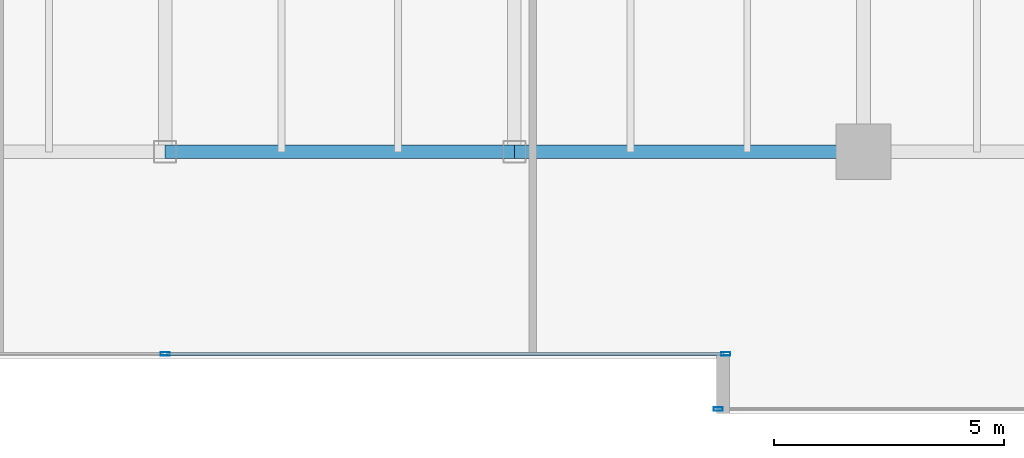
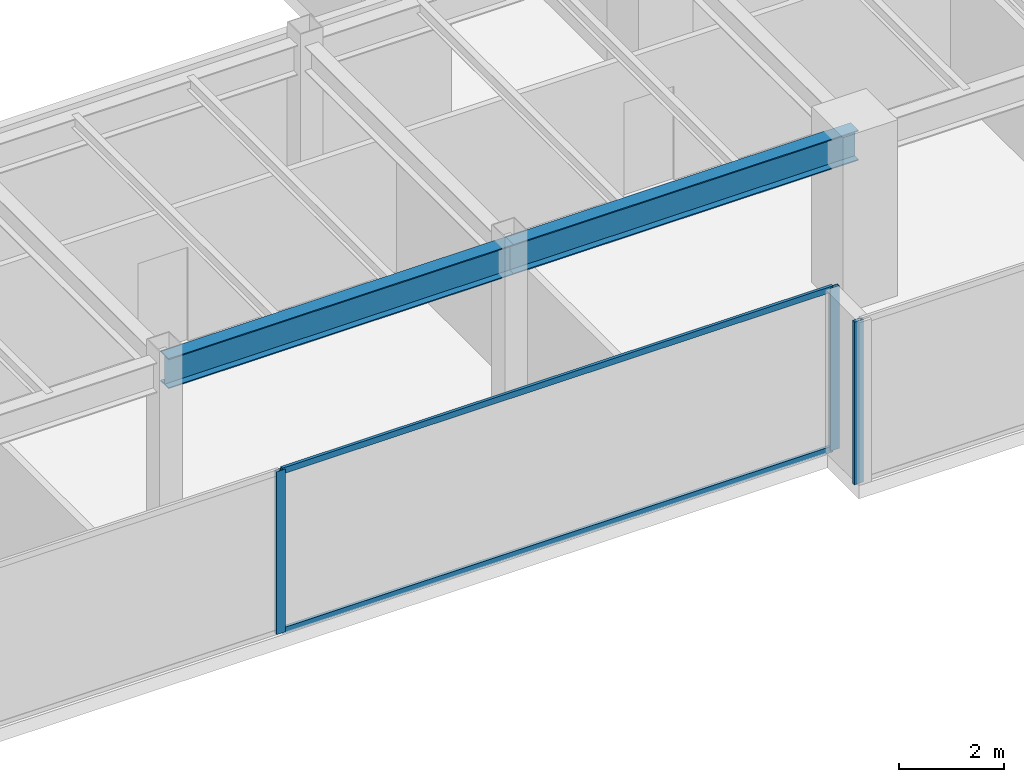
# One storey, part 10 of 30: 5 members, 2 beams, 2 elements without a shape of their own.
"""IFC4 building model written with IfcOpenShell, lengths in metres."""

from ifc_helpers import new_model, si_unit, direction, frame, origin, origin_2d, place, context, subcontext, project, spatial, hollow_rectangle, i_section, extrude, source, transform, mapped, material, layer, layer_set, material_profile, profile_set, type_object, type_shapes, element, aggregate, save


model = new_model("IFC4")

# Units and contexts
model_context = context("Model", 3, precision=1e-05, world=origin(), true_north=direction((0.0, 1.0)))
body_context = subcontext(model_context, "Body", "Model", "MODEL_VIEW")
ifc_project = project(units=[si_unit("LENGTHUNIT", "METRE"), si_unit("AREAUNIT", "SQUARE_METRE"), si_unit("VOLUMEUNIT", "CUBIC_METRE"), si_unit("PLANEANGLEUNIT", "RADIAN"), si_unit("MASSUNIT", "GRAM", prefix="KILO")], contexts=[model_context])

# Site, building, storey
site_placement = place(None, origin())
site = spatial("IfcSite", under=ifc_project, at=site_placement, CompositionType="ELEMENT")
building_placement = place(site_placement, origin())
building = spatial("IfcBuilding", under=site, at=building_placement, Name="Haelvirn Gate Laboratories", CompositionType="ELEMENT")
storey_placement = place(building_placement, frame((0.0, 0.0, 162.5)))
storey = spatial("IfcBuildingStorey", under=building, at=storey_placement, Name="L39", CompositionType="ELEMENT", Elevation=162.5)

# Beams
ifc_material_1 = material(Name="Steel SM355", Category="steel")
ifc_material_profile_1 = material_profile(ifc_material_1, i_section(OverallWidth=0.300048828125, OverallDepth=0.699951171875, WebThickness=0.012939453125, FlangeThickness=0.02392578125, at=origin_2d()), Name="H-700x300x13x24")
ifc_profile_set_1 = profile_set([ifc_material_profile_1], Name="Steel SM355")
beam_type = type_object("IfcBeamType", Name="BM-G-700", PredefinedType="BEAM", material=ifc_profile_set_1)
shared_shape_1 = source(origin(), body_context, "Body", "SweptSolid", [
    extrude(i_section(OverallWidth=0.300048828125, OverallDepth=0.699951171875, WebThickness=0.012939453125, FlangeThickness=0.02392578125, at=origin_2d()), origin(), (0.0, 0.0, 1.0), 7.60009765625),
])
type_shapes(beam_type, [shared_shape_1])
for number, where, z_axis, x_axis, name in (
    (1, (37.39990234375, 7.0, 3.43994140625), (1.0, 0.0, 0.0), (0.0, 1.0, 0.0), "L39 Primary Girder Y7.0 (37.4-45.0)"),
    (2, (45.0, 7.0, 3.43994140625), (1.0, 0.0, 0.0), (0.0, 1.0, 0.0), "L39 Primary Girder Y7.0 (45.0-52.6)"),
):
    element("IfcBeam", number, at=place(storey_placement, frame(where, z_axis=z_axis, x_axis=x_axis)), inside=storey, type_object=beam_type, Name=name, PredefinedType="BEAM", context=body_context, shape_type="MappedRepresentation", body=[
        mapped(shared_shape_1, transform((0.0, 0.0, 0.0), scale=1.0)),
    ])

# Curtain wall, members
ifc_material_2 = material(Name="Anodised bronze unitised aluminium & triple low-E glass", Category="aluminium")
ifc_layer = layer(ifc_material_2, 0.179931640625, Name="CW-SYS-3")
ifc_layer_set = layer_set([ifc_layer], Name="Anodised bronze unitised aluminium & triple low-E glass")
curtain_wall_type = type_object("IfcCurtainWallType", Name="CW-SYS-3", PredefinedType="NOTDEFINED", material=ifc_layer_set)
curtain_wall_1_placement = place(storey_placement, origin())
curtain_wall_1 = element("IfcCurtainWall", 3, at=curtain_wall_1_placement, inside=storey, type_object=curtain_wall_type, Name="L39 Unitised Curtain Wall CW-L39-P0-E02-1", PredefinedType="NOTDEFINED")
ifc_material_3 = material(Name="Extruded aluminium 6063-T6 (anodised bronze)", Category="aluminium")
ifc_material_profile_2 = material_profile(ifc_material_3, hollow_rectangle(XDim=0.06494140625, YDim=0.139892578125, WallThickness=0.00390625, at=origin_2d()), Name="CWT-140x65x4")
ifc_profile_set_2 = profile_set([ifc_material_profile_2], Name="Extruded aluminium 6063-T6 (anodised bronze)")
member_type_1 = type_object("IfcMemberType", Name="CWT-T140", PredefinedType="USERDEFINED", material=ifc_profile_set_2)
shared_shape_2 = source(origin(), body_context, "Body", "SweptSolid", [
    extrude(hollow_rectangle(XDim=0.06494140625, YDim=0.139892578125, WallThickness=0.00390625, at=origin_2d()), origin(), (0.0, 0.0, 1.0), 12.12744140625),
])
type_shapes(member_type_1, [shared_shape_2])
member_1_placement = place(storey_placement, frame((37.4375, 2.60009765625, 0.032470703125), z_axis=(1.0, 0.0, 0.0), x_axis=(0.0, 1.0, 0.0)))
member_1 = element("IfcMember", 4, at=member_1_placement, type_object=member_type_1, Name="CW3 transom 2.1", ObjectType="TRANSOM", PredefinedType="USERDEFINED", context=body_context, shape_type="MappedRepresentation", body=[
    mapped(shared_shape_2, transform((0.0, 0.0, 0.0), scale=1.0)),
])
member_2_placement = place(storey_placement, frame((37.4375, 2.60009765625, 3.757568359375), z_axis=(1.0, 0.0, 0.0), x_axis=(0.0, 1.0, 0.0)))
member_2 = element("IfcMember", 5, at=member_2_placement, type_object=member_type_1, Name="CW3 transom 2.2", ObjectType="TRANSOM", PredefinedType="USERDEFINED", context=body_context, shape_type="MappedRepresentation", body=[
    mapped(shared_shape_2, transform((0.0, 0.0, 0.0), scale=1.0)),
])
ifc_material_profile_3 = material_profile(ifc_material_3, hollow_rectangle(XDim=0.074951171875, YDim=0.199951171875, WallThickness=0.0048828125, at=origin_2d()), Name="CWM-200x75x5")
ifc_profile_set_3 = profile_set([ifc_material_profile_3], Name="Extruded aluminium 6063-T6 (anodised bronze)")
member_type_2 = type_object("IfcMemberType", Name="CWM-T200", PredefinedType="MULLION", material=ifc_profile_set_3)
shared_shape_3 = source(origin(), body_context, "Body", "SweptSolid", [
    extrude(hollow_rectangle(XDim=0.074951171875, YDim=0.199951171875, WallThickness=0.0048828125, at=origin_2d()), origin(), (0.0, 0.0, 1.0), 3.7900390625),
])
type_shapes(member_type_2, [shared_shape_3])
member_3_placement = place(storey_placement, frame((37.39990234375, 2.60009765625, 0.0), z_axis=(0.0, 0.0, 1.0), x_axis=(0.0, 1.0, 0.0)))
member_3 = element("IfcMember", 6, at=member_3_placement, type_object=member_type_2, Name="CW3 mullion 2", PredefinedType="MULLION", context=body_context, shape_type="MappedRepresentation", body=[
    mapped(shared_shape_3, transform((0.0, 0.0, 0.0), scale=1.0)),
])
member_4_placement = place(storey_placement, frame((49.6025390625, 2.60009765625, 0.0), z_axis=(0.0, 0.0, 1.0), x_axis=(0.0, 1.0, 0.0)))
member_4 = element("IfcMember", 7, at=member_4_placement, type_object=member_type_2, Name="CW3 mullion 3", PredefinedType="MULLION", context=body_context, shape_type="MappedRepresentation", body=[
    mapped(shared_shape_3, transform((0.0, 0.0, 0.0), scale=1.0)),
])
aggregate(curtain_wall_1, [member_3, member_4, member_1, member_2])

# Curtain wall, member
curtain_wall_2_placement = place(storey_placement, origin())
curtain_wall_2 = element("IfcCurtainWall", 8, at=curtain_wall_2_placement, inside=storey, type_object=curtain_wall_type, Name="L39 Unitised Curtain Wall CW-L39-P0-E04-1", PredefinedType="NOTDEFINED")
member_5_placement = place(storey_placement, frame((49.4375, 1.39990234375, 0.0), z_axis=(0.0, 0.0, 1.0), x_axis=(0.0, 1.0, 0.0)))
member_5 = element("IfcMember", 9, at=member_5_placement, type_object=member_type_2, Name="CW3 mullion 1", PredefinedType="MULLION", context=body_context, shape_type="MappedRepresentation", body=[
    mapped(shared_shape_3, transform((0.0, 0.0, 0.0), scale=1.0)),
])
aggregate(curtain_wall_2, [member_5])

save(model, "model.ifc")
